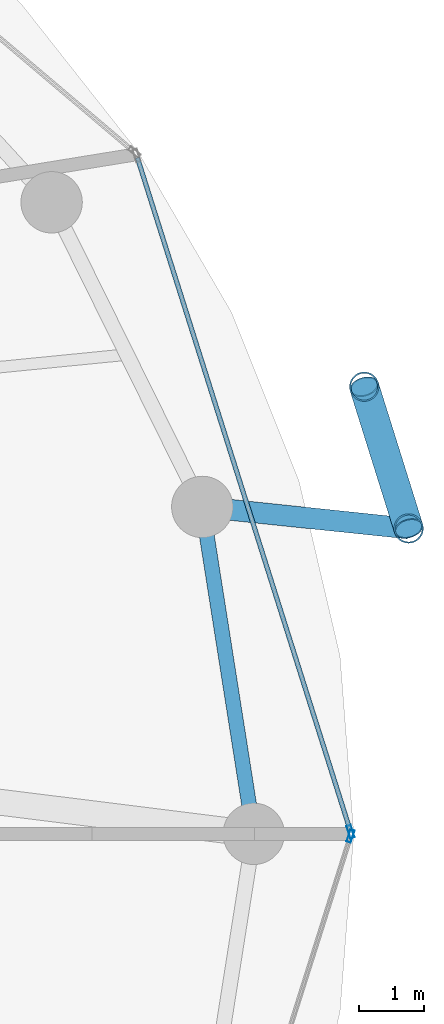
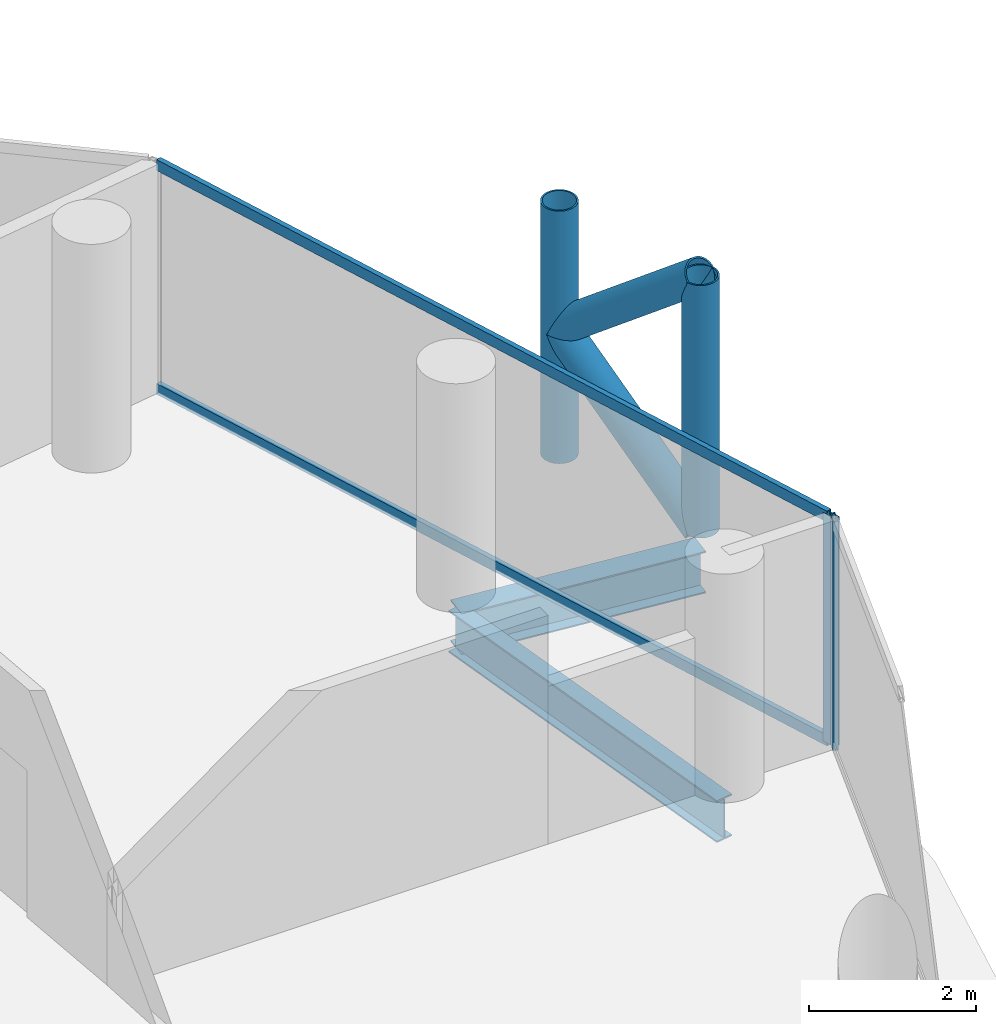
# One storey, part 12 of 26: 8 members, 2 beams, 2 elements without a shape of their own.
"""IFC4 building model written with IfcOpenShell, lengths in metres."""

from ifc_helpers import new_model, si_unit, direction, frame, origin, origin_2d, place, context, subcontext, project, spatial, hollow_rectangle, hollow_circle, i_section, extrude, material, layer, layer_set, material_profile, profile_set, type_object, element, aggregate, save


model = new_model("IFC4")

# Units and contexts
model_context = context("Model", 3, precision=1e-05, world=origin(), true_north=direction((0.0, 1.0)))
body_context = subcontext(model_context, "Body", "Model", "MODEL_VIEW")
ifc_project = project(units=[si_unit("LENGTHUNIT", "METRE"), si_unit("AREAUNIT", "SQUARE_METRE"), si_unit("VOLUMEUNIT", "CUBIC_METRE"), si_unit("PLANEANGLEUNIT", "RADIAN"), si_unit("MASSUNIT", "GRAM", prefix="KILO")], contexts=[model_context])

# Site, building, storey
site_placement = place(None, origin())
site = spatial("IfcSite", under=ifc_project, at=site_placement, CompositionType="ELEMENT")
building_placement = place(site_placement, origin())
building = spatial("IfcBuilding", under=site, at=building_placement, Name="Nuhasar Tower", CompositionType="ELEMENT")
storey_placement = place(building_placement, frame((0.0, 0.0, 192.25)))
storey = spatial("IfcBuildingStorey", under=building, at=storey_placement, Name="L47", CompositionType="ELEMENT", Elevation=192.25)

# Beams
ifc_material_1 = material(Name="Steel S355", Category="steel")
ifc_material_profile_1 = material_profile(ifc_material_1, i_section(OverallWidth=0.22998046875, OverallDepth=0.616943359375, WebThickness=0.01318359375, FlangeThickness=0.022216796875, at=origin_2d()), Name="W24X94")
ifc_profile_set_1 = profile_set([ifc_material_profile_1], Name="Steel S355")
beam_type_1 = type_object("IfcBeamType", Name="BM-RING-W24X94", PredefinedType="SPANDREL", material=ifc_profile_set_1)
beam_1_placement = place(storey_placement, frame((62.35009765625, 26.800048828125, -0.55908203125), z_axis=(-0.155426543608, 0.987847452566, 0.0), x_axis=(-0.987847452566, -0.155426543608, 0.0)))
element("IfcBeam", 1, at=beam_1_placement, inside=storey, type_object=beam_type_1, Name="L47 Perimeter Ring Spandrel 01", PredefinedType="SPANDREL", context=body_context, shape_type="SweptSolid", body=[
    extrude(i_section(OverallWidth=0.22998046875, OverallDepth=0.616943359375, WebThickness=0.01318359375, FlangeThickness=0.022216796875, at=origin_2d()), origin(), (0.0, 0.0, 1.0), 5.122314453125),
])
ifc_material_profile_2 = material_profile(ifc_material_1, i_section(OverallWidth=0.323974609375, OverallDepth=0.611083984375, WebThickness=0.0126953125, FlangeThickness=0.01904296875, at=origin_2d()), Name="W24X104")
ifc_profile_set_2 = profile_set([ifc_material_profile_2], Name="Steel S355")
beam_type_2 = type_object("IfcBeamType", Name="BM-TIE-W24X104", PredefinedType="BEAM", material=ifc_profile_set_2)
beam_2_placement = place(storey_placement, frame((61.553955078125, 31.860107421875, -0.554931640625), z_axis=(0.994569828715, -0.104071397654, 0.0), x_axis=(0.104071397654, 0.994569828715, 0.0)))
element("IfcBeam", 2, at=beam_2_placement, inside=storey, type_object=beam_type_2, Name="L47 Exoskeleton Node Tie Beam 01", PredefinedType="BEAM", context=body_context, shape_type="SweptSolid", body=[
    extrude(i_section(OverallWidth=0.323974609375, OverallDepth=0.611083984375, WebThickness=0.0126953125, FlangeThickness=0.01904296875, at=origin_2d()), origin(), (0.0, 0.0, 1.0), 3.21142578125),
])

# Curtain wall, member
ifc_material_2 = material(Name="Aluminium 6063-T6", Category="aluminium")
ifc_layer = layer(ifc_material_2, 0.199951171875)
ifc_layer_set = layer_set([ifc_layer], Name="Aluminium 6063-T6")
curtain_wall_type = type_object("IfcCurtainWallType", Name="CW-Z2-HTL", PredefinedType="NOTDEFINED", material=ifc_layer_set)
curtain_wall_1_placement = place(storey_placement, origin())
curtain_wall_1 = element("IfcCurtainWall", 3, at=curtain_wall_1_placement, inside=storey, type_object=curtain_wall_type, Name="L47 Unitised Curtain Wall 01", PredefinedType="NOTDEFINED")
ifc_material_profile_3 = material_profile(ifc_material_2, hollow_rectangle(XDim=0.070068359375, YDim=0.199951171875, WallThickness=0.0048828125, at=origin_2d()), Name="CWM-3")
ifc_profile_set_3 = profile_set([ifc_material_profile_3], Name="Aluminium 6063-T6")
member_type_1 = type_object("IfcMemberType", Name="CW-MUL-S3", PredefinedType="MULLION", material=ifc_profile_set_3)
member_1_placement = place(storey_placement, frame((63.849365234375, 26.833251953125, 0.0), z_axis=(0.0, 0.0, 1.0), x_axis=(-0.953433389233, -0.301603667577, 0.0)))
member_1 = element("IfcMember", 4, at=member_1_placement, type_object=member_type_1, Name="CW-Z2 mullion 1", PredefinedType="MULLION", context=body_context, shape_type="SweptSolid", body=[
    extrude(hollow_rectangle(XDim=0.070068359375, YDim=0.199951171875, WallThickness=0.0048828125, at=origin_2d()), origin(), (0.0, 0.0, 1.0), 3.35009765625),
])

curtain_wall_2_placement = place(storey_placement, origin())
curtain_wall_2 = element("IfcCurtainWall", 5, at=curtain_wall_2_placement, inside=storey, type_object=curtain_wall_type, Name="L47 Unitised Curtain Wall 12", PredefinedType="NOTDEFINED")
member_2_placement = place(storey_placement, frame((63.849365234375, 26.7666015625, 0.0), z_axis=(0.0, 0.0, 1.0), x_axis=(-0.953433389233, 0.301603667577, 0.0)))
member_2 = element("IfcMember", 6, at=member_2_placement, type_object=member_type_1, Name="CW-Z2 mullion 2", PredefinedType="MULLION", context=body_context, shape_type="SweptSolid", body=[
    extrude(hollow_rectangle(XDim=0.070068359375, YDim=0.199951171875, WallThickness=0.0048828125, at=origin_2d()), origin(), (0.0, 0.0, 1.0), 3.35009765625),
])
aggregate(curtain_wall_2, [member_2])

# Member
ifc_material_profile_4 = material_profile(ifc_material_2, hollow_rectangle(XDim=0.070068359375, YDim=0.159912109375, WallThickness=0.00439453125, at=origin_2d()), Name="CWT-3")
ifc_profile_set_4 = profile_set([ifc_material_profile_4], Name="Aluminium 6063-T6")
member_type_2 = type_object("IfcMemberType", Name="CW-TRN-S3", PredefinedType="USERDEFINED", material=ifc_profile_set_4)
member_3_placement = place(storey_placement, frame((63.8388671875, 26.86669921875, 0.034912109375), z_axis=(-0.301608163352, 0.953431967053, 0.0), x_axis=(-0.953431967053, -0.301608163352, 0.0)))
member_3 = element("IfcMember", 7, at=member_3_placement, type_object=member_type_2, Name="CW-Z2 transom 1.1", ObjectType="TRANSOM", PredefinedType="USERDEFINED", context=body_context, shape_type="SweptSolid", body=[
    extrude(hollow_rectangle(XDim=0.070068359375, YDim=0.159912109375, WallThickness=0.00439453125, at=origin_2d()), origin(), (0.0, 0.0, 1.0), 10.904296875),
])

member_4_placement = place(storey_placement, frame((63.8388671875, 26.86669921875, 3.31494140625), z_axis=(-0.301608163352, 0.953431967053, 0.0), x_axis=(-0.953431967053, -0.301608163352, 0.0)))
member_4 = element("IfcMember", 8, at=member_4_placement, type_object=member_type_2, Name="CW-Z2 transom 1.2", ObjectType="TRANSOM", PredefinedType="USERDEFINED", context=body_context, shape_type="SweptSolid", body=[
    extrude(hollow_rectangle(XDim=0.070068359375, YDim=0.159912109375, WallThickness=0.00439453125, at=origin_2d()), origin(), (0.0, 0.0, 1.0), 10.904296875),
])

aggregate(curtain_wall_1, [member_1, member_3, member_4])

# Members
ifc_material_3 = material(Name="Steel S460", Category="steel")
ifc_material_profile_5 = material_profile(ifc_material_3, hollow_circle(Radius=0.228515625, WallThickness=0.022216796875, at=origin_2d()), Name="HSS457X22.2")
ifc_profile_set_5 = profile_set([ifc_material_profile_5], Name="Steel S460")
member_type_3 = type_object("IfcMemberType", Name="EXO-BRONZE-457", PredefinedType="BRACE", material=ifc_profile_set_5)
for number, where, z_axis, x_axis, name in (
    (9, (64.748046875, 31.52587890625, 0.0), (0.0, 0.0, 1.0), (1.0, 0.0, 0.0), "L47 Exoskeleton Chord Column EC-01A"),
    (10, (64.06005859375, 33.720947265625, 0.0), (0.0, 0.0, 1.0), (1.0, 0.0, 0.0), "L47 Exoskeleton Chord Column EC-01B"),
):
    element("IfcMember", number, at=place(storey_placement, frame(where, z_axis=z_axis, x_axis=x_axis)), inside=storey, type_object=member_type_3, Name=name, PredefinedType="BRACE", context=body_context, shape_type="SweptSolid", body=[
        extrude(hollow_circle(Radius=0.228515625, WallThickness=0.022216796875, at=origin_2d()), origin(), (0.0, 0.0, 1.0), 3.699951171875),
    ])
member_5_placement = place(storey_placement, frame((64.748046875, 31.52587890625, 0.0), z_axis=(-0.233055548538, 0.743577869731, 0.626719285599), x_axis=(-0.954228474306, -0.29907861646, 0.0)))
element("IfcMember", 11, at=member_5_placement, inside=storey, type_object=member_type_3, Name="L47 Bronze Diagrid Brace W1-01", PredefinedType="BRACE", context=body_context, shape_type="SweptSolid", body=[
    extrude(hollow_circle(Radius=0.228515625, WallThickness=0.022216796875, at=origin_2d()), origin(), (0.0, 0.0, 1.0), 2.9521484375),
])
member_6_placement = place(storey_placement, frame((64.06005859375, 33.720947265625, 1.85009765625), z_axis=(0.233067628236, -0.74361641074, 0.626669062861), x_axis=(0.954228474306, 0.29907861646, 0.0)))
element("IfcMember", 12, at=member_6_placement, inside=storey, type_object=member_type_3, Name="L47 Bronze Diagrid Brace W2-01", PredefinedType="BRACE", context=body_context, shape_type="SweptSolid", body=[
    extrude(hollow_circle(Radius=0.228515625, WallThickness=0.022216796875, at=origin_2d()), origin(), (0.0, 0.0, 1.0), 2.951904296875),
])

save(model, "model.ifc")
